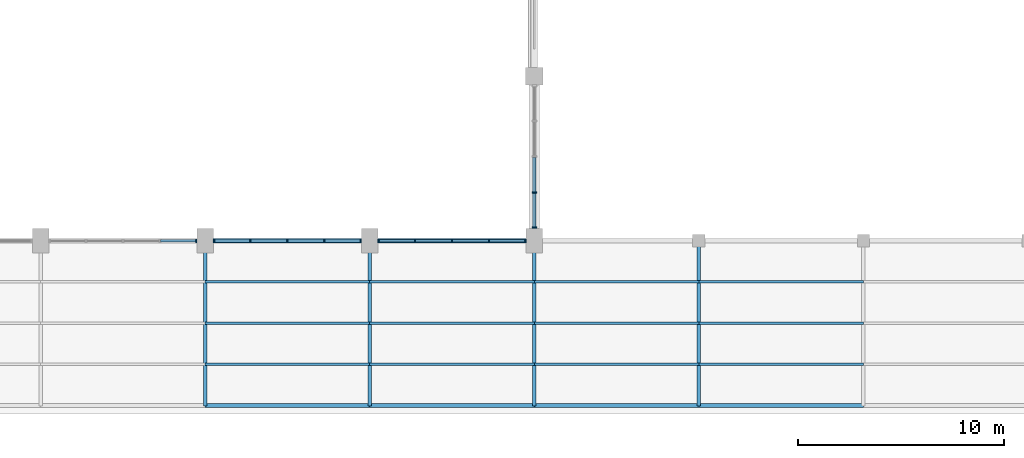
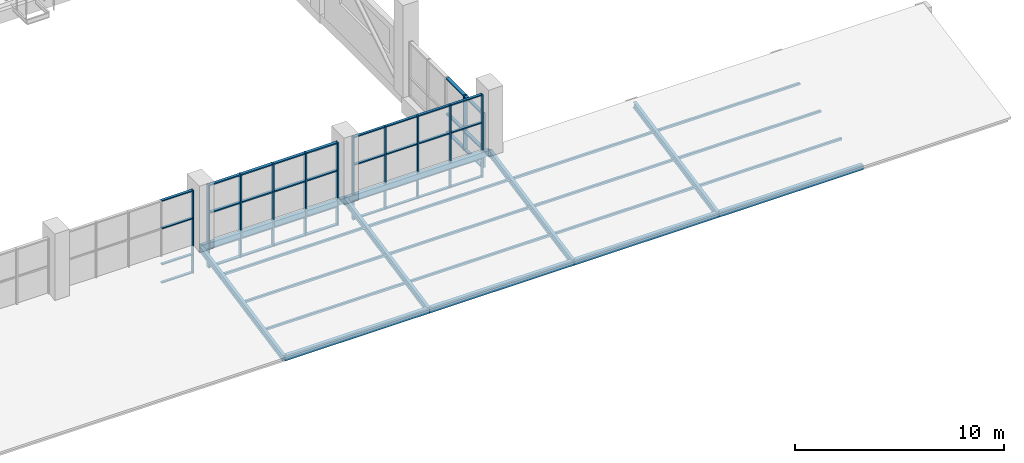
# One storey, part 12 of 122: 67 members, 10 beams, 4 elements without a shape of their own.
"""IFC4 building model written with IfcOpenShell, lengths in metres."""

from ifc_helpers import new_model, si_unit, direction, frame, origin, origin_2d, place, context, subcontext, project, spatial, rectangle, hollow_rectangle, i_section, extrude, material, material_profile, profile_set, type_object, element, aggregate, save


model = new_model("IFC4")

# Units and contexts
model_context = context("Model", 3, precision=1e-05, world=origin(), true_north=direction((0.0, 1.0)))
body_context = subcontext(model_context, "Body", "Model", "MODEL_VIEW")
ifc_project = project(units=[si_unit("LENGTHUNIT", "METRE"), si_unit("AREAUNIT", "SQUARE_METRE"), si_unit("VOLUMEUNIT", "CUBIC_METRE"), si_unit("PLANEANGLEUNIT", "RADIAN"), si_unit("MASSUNIT", "GRAM", prefix="KILO")], contexts=[model_context])

# Site, building, storey
site_placement = place(None, origin())
site = spatial("IfcSite", under=ifc_project, at=site_placement, CompositionType="ELEMENT")
building_placement = place(site_placement, origin())
building = spatial("IfcBuilding", under=site, at=building_placement, Name="Tenunan Teduh Sports Hall", CompositionType="ELEMENT")
storey_placement = place(building_placement, frame((0.0, 0.0, 5.39990234375)))
storey = spatial("IfcBuildingStorey", under=building, at=storey_placement, Name="L01", CompositionType="ELEMENT", Elevation=5.39990234375)

# Curtain wall, member
ifc_material_1 = material(Name="Anodised aluminium", Category="aluminium")
curtain_wall_type = type_object("IfcCurtainWallType", Name="CW-UNIT-1", PredefinedType="NOTDEFINED", material=ifc_material_1)
curtain_wall_1_placement = place(storey_placement, origin())
curtain_wall_1 = element("IfcCurtainWall", 1, at=curtain_wall_1_placement, inside=storey, type_object=curtain_wall_type, Name="CW-CWM-175-L01-046", PredefinedType="NOTDEFINED")
ifc_material_2 = material(Name="Anodised aluminium", Category="aluminium")
ifc_material_profile_1 = material_profile(ifc_material_2, rectangle(XDim=0.06494140625, YDim=0.175048828125, at=origin_2d()), Name="CWM 65x175")
ifc_profile_set_1 = profile_set([ifc_material_profile_1], Name="Anodised aluminium")
member_type_1 = type_object("IfcMemberType", Name="CWM-175", PredefinedType="MULLION", material=ifc_profile_set_1)
member_1_placement = place(storey_placement, frame((37.5673828125, 14.0, 0.0), z_axis=(0.0, 0.0, 1.0), x_axis=(1.0, 0.0, 0.0)))
member_1 = element("IfcMember", 2, at=member_1_placement, type_object=member_type_1, Name="CW-01 mullion 5", PredefinedType="MULLION", context=body_context, shape_type="SweptSolid", body=[
    extrude(rectangle(XDim=0.06494140625, YDim=0.175048828125, at=origin_2d()), origin(), (0.0, 0.0, 1.0), 4.85009765625),
])

# Curtain wall, members
curtain_wall_2_placement = place(storey_placement, origin())
curtain_wall_2 = element("IfcCurtainWall", 3, at=curtain_wall_2_placement, inside=storey, type_object=curtain_wall_type, Name="CW-CWM-175-L01-050", PredefinedType="NOTDEFINED")
member_2_placement = place(storey_placement, frame((46.4326171875, 14.0, 0.0), z_axis=(0.0, 0.0, 1.0), x_axis=(1.0, 0.0, 0.0)))
member_2 = element("IfcMember", 4, at=member_2_placement, type_object=member_type_1, Name="CW-01 mullion 1", PredefinedType="MULLION", context=body_context, shape_type="SweptSolid", body=[
    extrude(rectangle(XDim=0.06494140625, YDim=0.175048828125, at=origin_2d()), origin(), (0.0, 0.0, 1.0), 4.85009765625),
])
member_3_placement = place(storey_placement, frame((48.199951171875, 14.0, 0.0), z_axis=(0.0, 0.0, 1.0), x_axis=(1.0, 0.0, 0.0)))
member_3 = element("IfcMember", 5, at=member_3_placement, type_object=member_type_1, Name="CW-01 mullion 2", PredefinedType="MULLION", context=body_context, shape_type="SweptSolid", body=[
    extrude(rectangle(XDim=0.06494140625, YDim=0.175048828125, at=origin_2d()), origin(), (0.0, 0.0, 1.0), 4.85009765625),
])
member_4_placement = place(storey_placement, frame((50.0, 14.0, 0.0), z_axis=(0.0, 0.0, 1.0), x_axis=(1.0, 0.0, 0.0)))
member_4 = element("IfcMember", 6, at=member_4_placement, type_object=member_type_1, Name="CW-01 mullion 3", PredefinedType="MULLION", context=body_context, shape_type="SweptSolid", body=[
    extrude(rectangle(XDim=0.06494140625, YDim=0.175048828125, at=origin_2d()), origin(), (0.0, 0.0, 1.0), 4.85009765625),
])
member_5_placement = place(storey_placement, frame((51.800048828125, 14.0, 0.0), z_axis=(0.0, 0.0, 1.0), x_axis=(1.0, 0.0, 0.0)))
member_5 = element("IfcMember", 7, at=member_5_placement, type_object=member_type_1, Name="CW-01 mullion 4", PredefinedType="MULLION", context=body_context, shape_type="SweptSolid", body=[
    extrude(rectangle(XDim=0.06494140625, YDim=0.175048828125, at=origin_2d()), origin(), (0.0, 0.0, 1.0), 4.85009765625),
])
member_6_placement = place(storey_placement, frame((53.5673828125, 14.0, 0.0), z_axis=(0.0, 0.0, 1.0), x_axis=(1.0, 0.0, 0.0)))
member_6 = element("IfcMember", 8, at=member_6_placement, type_object=member_type_1, Name="CW-01 mullion 5", PredefinedType="MULLION", context=body_context, shape_type="SweptSolid", body=[
    extrude(rectangle(XDim=0.06494140625, YDim=0.175048828125, at=origin_2d()), origin(), (0.0, 0.0, 1.0), 4.85009765625),
])

curtain_wall_3_placement = place(storey_placement, origin())
curtain_wall_3 = element("IfcCurtainWall", 9, at=curtain_wall_3_placement, inside=storey, type_object=curtain_wall_type, Name="CW-CWM-200-L01-048", PredefinedType="NOTDEFINED")
ifc_material_3 = material(Name="Anodised aluminium", Category="aluminium")
ifc_material_profile_2 = material_profile(ifc_material_3, rectangle(XDim=0.070068359375, YDim=0.199951171875, at=origin_2d()), Name="CWM 70x200")
ifc_profile_set_2 = profile_set([ifc_material_profile_2], Name="Anodised aluminium")
member_type_2 = type_object("IfcMemberType", Name="CWM-200", PredefinedType="MULLION", material=ifc_profile_set_2)
member_7_placement = place(storey_placement, frame((38.43505859375, 14.0, 0.0), z_axis=(0.0, 0.0, 1.0), x_axis=(1.0, 0.0, 0.0)))
member_7 = element("IfcMember", 10, at=member_7_placement, type_object=member_type_2, Name="CW-01 mullion 1", PredefinedType="MULLION", context=body_context, shape_type="SweptSolid", body=[
    extrude(rectangle(XDim=0.070068359375, YDim=0.199951171875, at=origin_2d()), origin(), (0.0, 0.0, 1.0), 4.85009765625),
])
member_8_placement = place(storey_placement, frame((40.199951171875, 14.0, 0.0), z_axis=(0.0, 0.0, 1.0), x_axis=(1.0, 0.0, 0.0)))
member_8 = element("IfcMember", 11, at=member_8_placement, type_object=member_type_2, Name="CW-01 mullion 2", PredefinedType="MULLION", context=body_context, shape_type="SweptSolid", body=[
    extrude(rectangle(XDim=0.070068359375, YDim=0.199951171875, at=origin_2d()), origin(), (0.0, 0.0, 1.0), 4.85009765625),
])
member_9_placement = place(storey_placement, frame((42.0, 14.0, 0.0), z_axis=(0.0, 0.0, 1.0), x_axis=(1.0, 0.0, 0.0)))
member_9 = element("IfcMember", 12, at=member_9_placement, type_object=member_type_2, Name="CW-01 mullion 3", PredefinedType="MULLION", context=body_context, shape_type="SweptSolid", body=[
    extrude(rectangle(XDim=0.070068359375, YDim=0.199951171875, at=origin_2d()), origin(), (0.0, 0.0, 1.0), 4.85009765625),
])
member_10_placement = place(storey_placement, frame((43.800048828125, 14.0, 0.0), z_axis=(0.0, 0.0, 1.0), x_axis=(1.0, 0.0, 0.0)))
member_10 = element("IfcMember", 13, at=member_10_placement, type_object=member_type_2, Name="CW-01 mullion 4", PredefinedType="MULLION", context=body_context, shape_type="SweptSolid", body=[
    extrude(rectangle(XDim=0.070068359375, YDim=0.199951171875, at=origin_2d()), origin(), (0.0, 0.0, 1.0), 4.85009765625),
])
member_11_placement = place(storey_placement, frame((45.56494140625, 14.0, 0.0), z_axis=(0.0, 0.0, 1.0), x_axis=(1.0, 0.0, 0.0)))
member_11 = element("IfcMember", 14, at=member_11_placement, type_object=member_type_2, Name="CW-01 mullion 5", PredefinedType="MULLION", context=body_context, shape_type="SweptSolid", body=[
    extrude(rectangle(XDim=0.070068359375, YDim=0.199951171875, at=origin_2d()), origin(), (0.0, 0.0, 1.0), 4.85009765625),
])

curtain_wall_4_placement = place(storey_placement, origin())
curtain_wall_4 = element("IfcCurtainWall", 15, at=curtain_wall_4_placement, inside=storey, type_object=curtain_wall_type, Name="CW-CWM-220-L01-053", PredefinedType="NOTDEFINED")
ifc_material_4 = material(Name="Anodised aluminium", Category="aluminium")
ifc_material_profile_3 = material_profile(ifc_material_4, rectangle(XDim=0.074951171875, YDim=0.219970703125, at=origin_2d()), Name="CWM 75x220")
ifc_profile_set_3 = profile_set([ifc_material_profile_3], Name="Anodised aluminium")
member_type_3 = type_object("IfcMemberType", Name="CWM-220", PredefinedType="MULLION", material=ifc_profile_set_3)
member_12_placement = place(storey_placement, frame((54.0, 14.637451171875, 0.0), z_axis=(0.0, 0.0, 1.0), x_axis=(0.0, 1.0, 0.0)))
member_12 = element("IfcMember", 16, at=member_12_placement, type_object=member_type_3, Name="CW-01 mullion 1", PredefinedType="MULLION", context=body_context, shape_type="SweptSolid", body=[
    extrude(rectangle(XDim=0.074951171875, YDim=0.219970703125, at=origin_2d()), origin(), (0.0, 0.0, 1.0), 3.2001953125),
])
member_13_placement = place(storey_placement, frame((54.0, 16.34375, 0.0), z_axis=(0.0, 0.0, 1.0), x_axis=(0.0, 1.0, 0.0)))
member_13 = element("IfcMember", 17, at=member_13_placement, type_object=member_type_3, Name="CW-01 mullion 2", PredefinedType="MULLION", context=body_context, shape_type="SweptSolid", body=[
    extrude(rectangle(XDim=0.074951171875, YDim=0.219970703125, at=origin_2d()), origin(), (0.0, 0.0, 1.0), 3.2001953125),
])

# Member
ifc_material_5 = material(Name="Anodised aluminium", Category="aluminium")
ifc_material_profile_4 = material_profile(ifc_material_5, rectangle(XDim=0.06494140625, YDim=0.139892578125, at=origin_2d()), Name="CWT 65x140")
ifc_profile_set_4 = profile_set([ifc_material_profile_4], Name="Anodised aluminium")
member_type_4 = type_object("IfcMemberType", Name="CWT-150", PredefinedType="USERDEFINED", material=ifc_profile_set_4)
member_14_placement = place(storey_placement, frame((35.83251953125, 14.0, 0.03271484375), z_axis=(1.0, 0.0, 0.0), x_axis=(0.0, 0.0, 1.0)))
member_14 = element("IfcMember", 18, at=member_14_placement, type_object=member_type_4, Name="CW-01 transom 4.1", ObjectType="TRANSOM", PredefinedType="USERDEFINED", context=body_context, shape_type="SweptSolid", body=[
    extrude(rectangle(XDim=0.06494140625, YDim=0.139892578125, at=origin_2d()), origin(), (0.0, 0.0, 1.0), 1.702392578125),
])

member_15_placement = place(storey_placement, frame((35.83251953125, 14.0, 1.10009765625), z_axis=(1.0, 0.0, 0.0), x_axis=(0.0, 0.0, 1.0)))
member_15 = element("IfcMember", 19, at=member_15_placement, type_object=member_type_4, Name="CW-01 transom 4.2", ObjectType="TRANSOM", PredefinedType="USERDEFINED", context=body_context, shape_type="SweptSolid", body=[
    extrude(rectangle(XDim=0.06494140625, YDim=0.139892578125, at=origin_2d()), origin(), (0.0, 0.0, 1.0), 1.702392578125),
])

member_16_placement = place(storey_placement, frame((35.83251953125, 14.0, 3.2001953125), z_axis=(1.0, 0.0, 0.0), x_axis=(0.0, 0.0, 1.0)))
member_16 = element("IfcMember", 20, at=member_16_placement, type_object=member_type_4, Name="CW-01 transom 4.3", ObjectType="TRANSOM", PredefinedType="USERDEFINED", context=body_context, shape_type="SweptSolid", body=[
    extrude(rectangle(XDim=0.06494140625, YDim=0.139892578125, at=origin_2d()), origin(), (0.0, 0.0, 1.0), 1.702392578125),
])

member_17_placement = place(storey_placement, frame((35.83251953125, 14.0, 4.817626953125), z_axis=(1.0, 0.0, 0.0), x_axis=(0.0, 0.0, 1.0)))
member_17 = element("IfcMember", 21, at=member_17_placement, type_object=member_type_4, Name="CW-01 transom 4.4", ObjectType="TRANSOM", PredefinedType="USERDEFINED", context=body_context, shape_type="SweptSolid", body=[
    extrude(rectangle(XDim=0.06494140625, YDim=0.139892578125, at=origin_2d()), origin(), (0.0, 0.0, 1.0), 1.702392578125),
])

aggregate(curtain_wall_1, [member_1, member_14, member_15, member_16, member_17])

member_18_placement = place(storey_placement, frame((46.465087890625, 14.0, 0.03271484375), z_axis=(1.0, 0.0, 0.0), x_axis=(0.0, 0.0, 1.0)))
member_18 = element("IfcMember", 22, at=member_18_placement, type_object=member_type_4, Name="CW-01 transom 1.1", ObjectType="TRANSOM", PredefinedType="USERDEFINED", context=body_context, shape_type="SweptSolid", body=[
    extrude(rectangle(XDim=0.06494140625, YDim=0.139892578125, at=origin_2d()), origin(), (0.0, 0.0, 1.0), 1.702392578125),
])

member_19_placement = place(storey_placement, frame((46.465087890625, 14.0, 1.10009765625), z_axis=(1.0, 0.0, 0.0), x_axis=(0.0, 0.0, 1.0)))
member_19 = element("IfcMember", 23, at=member_19_placement, type_object=member_type_4, Name="CW-01 transom 1.2", ObjectType="TRANSOM", PredefinedType="USERDEFINED", context=body_context, shape_type="SweptSolid", body=[
    extrude(rectangle(XDim=0.06494140625, YDim=0.139892578125, at=origin_2d()), origin(), (0.0, 0.0, 1.0), 1.702392578125),
])

member_20_placement = place(storey_placement, frame((46.465087890625, 14.0, 3.2001953125), z_axis=(1.0, 0.0, 0.0), x_axis=(0.0, 0.0, 1.0)))
member_20 = element("IfcMember", 24, at=member_20_placement, type_object=member_type_4, Name="CW-01 transom 1.3", ObjectType="TRANSOM", PredefinedType="USERDEFINED", context=body_context, shape_type="SweptSolid", body=[
    extrude(rectangle(XDim=0.06494140625, YDim=0.139892578125, at=origin_2d()), origin(), (0.0, 0.0, 1.0), 1.702392578125),
])

member_21_placement = place(storey_placement, frame((46.465087890625, 14.0, 4.817626953125), z_axis=(1.0, 0.0, 0.0), x_axis=(0.0, 0.0, 1.0)))
member_21 = element("IfcMember", 25, at=member_21_placement, type_object=member_type_4, Name="CW-01 transom 1.4", ObjectType="TRANSOM", PredefinedType="USERDEFINED", context=body_context, shape_type="SweptSolid", body=[
    extrude(rectangle(XDim=0.06494140625, YDim=0.139892578125, at=origin_2d()), origin(), (0.0, 0.0, 1.0), 1.702392578125),
])

member_22_placement = place(storey_placement, frame((48.232421875, 14.0, 0.03271484375), z_axis=(1.0, 0.0, 0.0), x_axis=(0.0, 0.0, 1.0)))
member_22 = element("IfcMember", 26, at=member_22_placement, type_object=member_type_4, Name="CW-01 transom 2.1", ObjectType="TRANSOM", PredefinedType="USERDEFINED", context=body_context, shape_type="SweptSolid", body=[
    extrude(rectangle(XDim=0.06494140625, YDim=0.139892578125, at=origin_2d()), origin(), (0.0, 0.0, 1.0), 1.735107421875),
])

member_23_placement = place(storey_placement, frame((48.232421875, 14.0, 1.10009765625), z_axis=(1.0, 0.0, 0.0), x_axis=(0.0, 0.0, 1.0)))
member_23 = element("IfcMember", 27, at=member_23_placement, type_object=member_type_4, Name="CW-01 transom 2.2", ObjectType="TRANSOM", PredefinedType="USERDEFINED", context=body_context, shape_type="SweptSolid", body=[
    extrude(rectangle(XDim=0.06494140625, YDim=0.139892578125, at=origin_2d()), origin(), (0.0, 0.0, 1.0), 1.735107421875),
])

member_24_placement = place(storey_placement, frame((48.232421875, 14.0, 3.2001953125), z_axis=(1.0, 0.0, 0.0), x_axis=(0.0, 0.0, 1.0)))
member_24 = element("IfcMember", 28, at=member_24_placement, type_object=member_type_4, Name="CW-01 transom 2.3", ObjectType="TRANSOM", PredefinedType="USERDEFINED", context=body_context, shape_type="SweptSolid", body=[
    extrude(rectangle(XDim=0.06494140625, YDim=0.139892578125, at=origin_2d()), origin(), (0.0, 0.0, 1.0), 1.735107421875),
])

member_25_placement = place(storey_placement, frame((48.232421875, 14.0, 4.817626953125), z_axis=(1.0, 0.0, 0.0), x_axis=(0.0, 0.0, 1.0)))
member_25 = element("IfcMember", 29, at=member_25_placement, type_object=member_type_4, Name="CW-01 transom 2.4", ObjectType="TRANSOM", PredefinedType="USERDEFINED", context=body_context, shape_type="SweptSolid", body=[
    extrude(rectangle(XDim=0.06494140625, YDim=0.139892578125, at=origin_2d()), origin(), (0.0, 0.0, 1.0), 1.735107421875),
])

member_26_placement = place(storey_placement, frame((50.032470703125, 14.0, 0.03271484375), z_axis=(1.0, 0.0, 0.0), x_axis=(0.0, 0.0, 1.0)))
member_26 = element("IfcMember", 30, at=member_26_placement, type_object=member_type_4, Name="CW-01 transom 3.1", ObjectType="TRANSOM", PredefinedType="USERDEFINED", context=body_context, shape_type="SweptSolid", body=[
    extrude(rectangle(XDim=0.06494140625, YDim=0.139892578125, at=origin_2d()), origin(), (0.0, 0.0, 1.0), 1.735107421875),
])

member_27_placement = place(storey_placement, frame((50.032470703125, 14.0, 1.10009765625), z_axis=(1.0, 0.0, 0.0), x_axis=(0.0, 0.0, 1.0)))
member_27 = element("IfcMember", 31, at=member_27_placement, type_object=member_type_4, Name="CW-01 transom 3.2", ObjectType="TRANSOM", PredefinedType="USERDEFINED", context=body_context, shape_type="SweptSolid", body=[
    extrude(rectangle(XDim=0.06494140625, YDim=0.139892578125, at=origin_2d()), origin(), (0.0, 0.0, 1.0), 1.735107421875),
])

member_28_placement = place(storey_placement, frame((50.032470703125, 14.0, 3.2001953125), z_axis=(1.0, 0.0, 0.0), x_axis=(0.0, 0.0, 1.0)))
member_28 = element("IfcMember", 32, at=member_28_placement, type_object=member_type_4, Name="CW-01 transom 3.3", ObjectType="TRANSOM", PredefinedType="USERDEFINED", context=body_context, shape_type="SweptSolid", body=[
    extrude(rectangle(XDim=0.06494140625, YDim=0.139892578125, at=origin_2d()), origin(), (0.0, 0.0, 1.0), 1.735107421875),
])

member_29_placement = place(storey_placement, frame((50.032470703125, 14.0, 4.817626953125), z_axis=(1.0, 0.0, 0.0), x_axis=(0.0, 0.0, 1.0)))
member_29 = element("IfcMember", 33, at=member_29_placement, type_object=member_type_4, Name="CW-01 transom 3.4", ObjectType="TRANSOM", PredefinedType="USERDEFINED", context=body_context, shape_type="SweptSolid", body=[
    extrude(rectangle(XDim=0.06494140625, YDim=0.139892578125, at=origin_2d()), origin(), (0.0, 0.0, 1.0), 1.735107421875),
])

member_30_placement = place(storey_placement, frame((51.83251953125, 14.0, 0.03271484375), z_axis=(1.0, 0.0, 0.0), x_axis=(0.0, 0.0, 1.0)))
member_30 = element("IfcMember", 34, at=member_30_placement, type_object=member_type_4, Name="CW-01 transom 4.1", ObjectType="TRANSOM", PredefinedType="USERDEFINED", context=body_context, shape_type="SweptSolid", body=[
    extrude(rectangle(XDim=0.06494140625, YDim=0.139892578125, at=origin_2d()), origin(), (0.0, 0.0, 1.0), 1.702392578125),
])

member_31_placement = place(storey_placement, frame((51.83251953125, 14.0, 1.10009765625), z_axis=(1.0, 0.0, 0.0), x_axis=(0.0, 0.0, 1.0)))
member_31 = element("IfcMember", 35, at=member_31_placement, type_object=member_type_4, Name="CW-01 transom 4.2", ObjectType="TRANSOM", PredefinedType="USERDEFINED", context=body_context, shape_type="SweptSolid", body=[
    extrude(rectangle(XDim=0.06494140625, YDim=0.139892578125, at=origin_2d()), origin(), (0.0, 0.0, 1.0), 1.702392578125),
])

member_32_placement = place(storey_placement, frame((51.83251953125, 14.0, 3.2001953125), z_axis=(1.0, 0.0, 0.0), x_axis=(0.0, 0.0, 1.0)))
member_32 = element("IfcMember", 36, at=member_32_placement, type_object=member_type_4, Name="CW-01 transom 4.3", ObjectType="TRANSOM", PredefinedType="USERDEFINED", context=body_context, shape_type="SweptSolid", body=[
    extrude(rectangle(XDim=0.06494140625, YDim=0.139892578125, at=origin_2d()), origin(), (0.0, 0.0, 1.0), 1.702392578125),
])

member_33_placement = place(storey_placement, frame((51.83251953125, 14.0, 4.817626953125), z_axis=(1.0, 0.0, 0.0), x_axis=(0.0, 0.0, 1.0)))
member_33 = element("IfcMember", 37, at=member_33_placement, type_object=member_type_4, Name="CW-01 transom 4.4", ObjectType="TRANSOM", PredefinedType="USERDEFINED", context=body_context, shape_type="SweptSolid", body=[
    extrude(rectangle(XDim=0.06494140625, YDim=0.139892578125, at=origin_2d()), origin(), (0.0, 0.0, 1.0), 1.702392578125),
])

aggregate(curtain_wall_2, [member_2, member_3, member_4, member_5, member_6, member_18, member_19, member_20, member_21, member_22, member_23, member_24, member_25, member_26, member_27, member_28, member_29, member_30, member_31, member_32, member_33])

ifc_material_6 = material(Name="Anodised aluminium", Category="aluminium")
ifc_material_profile_5 = material_profile(ifc_material_6, rectangle(XDim=0.074951171875, YDim=0.179931640625, at=origin_2d()), Name="CWT 75x180")
ifc_profile_set_5 = profile_set([ifc_material_profile_5], Name="Anodised aluminium")
member_type_5 = type_object("IfcMemberType", Name="CWT-180", PredefinedType="USERDEFINED", material=ifc_profile_set_5)
member_34_placement = place(storey_placement, frame((54.0, 14.675048828125, 0.03759765625), z_axis=(0.0, 1.0, 0.0), x_axis=(0.0, 0.0, 1.0)))
member_34 = element("IfcMember", 38, at=member_34_placement, type_object=member_type_5, Name="CW-01 transom 1.1", ObjectType="TRANSOM", PredefinedType="USERDEFINED", context=body_context, shape_type="SweptSolid", body=[
    extrude(rectangle(XDim=0.074951171875, YDim=0.179931640625, at=origin_2d()), origin(), (0.0, 0.0, 1.0), 1.631103515625),
])

member_35_placement = place(storey_placement, frame((54.0, 14.675048828125, 1.10009765625), z_axis=(0.0, 1.0, 0.0), x_axis=(0.0, 0.0, 1.0)))
member_35 = element("IfcMember", 39, at=member_35_placement, type_object=member_type_5, Name="CW-01 transom 1.2", ObjectType="TRANSOM", PredefinedType="USERDEFINED", context=body_context, shape_type="SweptSolid", body=[
    extrude(rectangle(XDim=0.074951171875, YDim=0.179931640625, at=origin_2d()), origin(), (0.0, 0.0, 1.0), 1.631103515625),
])

member_36_placement = place(storey_placement, frame((54.0, 14.675048828125, 3.16259765625), z_axis=(0.0, 1.0, 0.0), x_axis=(0.0, 0.0, 1.0)))
member_36 = element("IfcMember", 40, at=member_36_placement, type_object=member_type_5, Name="CW-01 transom 1.3", ObjectType="TRANSOM", PredefinedType="USERDEFINED", context=body_context, shape_type="SweptSolid", body=[
    extrude(rectangle(XDim=0.074951171875, YDim=0.179931640625, at=origin_2d()), origin(), (0.0, 0.0, 1.0), 1.631103515625),
])

member_37_placement = place(storey_placement, frame((54.0, 16.38134765625, 0.03759765625), z_axis=(0.0, 1.0, 0.0), x_axis=(0.0, 0.0, 1.0)))
member_37 = element("IfcMember", 41, at=member_37_placement, type_object=member_type_5, Name="CW-01 transom 2.1", ObjectType="TRANSOM", PredefinedType="USERDEFINED", context=body_context, shape_type="SweptSolid", body=[
    extrude(rectangle(XDim=0.074951171875, YDim=0.179931640625, at=origin_2d()), origin(), (0.0, 0.0, 1.0), 1.668701171875),
])

member_38_placement = place(storey_placement, frame((54.0, 16.38134765625, 1.10009765625), z_axis=(0.0, 1.0, 0.0), x_axis=(0.0, 0.0, 1.0)))
member_38 = element("IfcMember", 42, at=member_38_placement, type_object=member_type_5, Name="CW-01 transom 2.2", ObjectType="TRANSOM", PredefinedType="USERDEFINED", context=body_context, shape_type="SweptSolid", body=[
    extrude(rectangle(XDim=0.074951171875, YDim=0.179931640625, at=origin_2d()), origin(), (0.0, 0.0, 1.0), 1.668701171875),
])

member_39_placement = place(storey_placement, frame((54.0, 16.38134765625, 3.16259765625), z_axis=(0.0, 1.0, 0.0), x_axis=(0.0, 0.0, 1.0)))
member_39 = element("IfcMember", 43, at=member_39_placement, type_object=member_type_5, Name="CW-01 transom 2.3", ObjectType="TRANSOM", PredefinedType="USERDEFINED", context=body_context, shape_type="SweptSolid", body=[
    extrude(rectangle(XDim=0.074951171875, YDim=0.179931640625, at=origin_2d()), origin(), (0.0, 0.0, 1.0), 1.668701171875),
])

aggregate(curtain_wall_4, [member_12, member_13, member_34, member_35, member_36, member_37, member_38, member_39])

ifc_material_7 = material(Name="Anodised aluminium", Category="aluminium")
ifc_material_profile_6 = material_profile(ifc_material_7, rectangle(XDim=0.070068359375, YDim=0.159912109375, at=origin_2d()), Name="CWT 70x160")
ifc_profile_set_6 = profile_set([ifc_material_profile_6], Name="Anodised aluminium")
member_type_6 = type_object("IfcMemberType", Name="CWT-200", PredefinedType="USERDEFINED", material=ifc_profile_set_6)
member_40_placement = place(storey_placement, frame((38.469970703125, 14.0, 0.03515625), z_axis=(1.0, 0.0, 0.0), x_axis=(0.0, 0.0, 1.0)))
member_40 = element("IfcMember", 44, at=member_40_placement, type_object=member_type_6, Name="CW-01 transom 1.1", ObjectType="TRANSOM", PredefinedType="USERDEFINED", context=body_context, shape_type="SweptSolid", body=[
    extrude(rectangle(XDim=0.070068359375, YDim=0.159912109375, at=origin_2d()), origin(), (0.0, 0.0, 1.0), 1.695068359375),
])

member_41_placement = place(storey_placement, frame((38.469970703125, 14.0, 1.10009765625), z_axis=(1.0, 0.0, 0.0), x_axis=(0.0, 0.0, 1.0)))
member_41 = element("IfcMember", 45, at=member_41_placement, type_object=member_type_6, Name="CW-01 transom 1.2", ObjectType="TRANSOM", PredefinedType="USERDEFINED", context=body_context, shape_type="SweptSolid", body=[
    extrude(rectangle(XDim=0.070068359375, YDim=0.159912109375, at=origin_2d()), origin(), (0.0, 0.0, 1.0), 1.695068359375),
])

member_42_placement = place(storey_placement, frame((38.469970703125, 14.0, 3.2001953125), z_axis=(1.0, 0.0, 0.0), x_axis=(0.0, 0.0, 1.0)))
member_42 = element("IfcMember", 46, at=member_42_placement, type_object=member_type_6, Name="CW-01 transom 1.3", ObjectType="TRANSOM", PredefinedType="USERDEFINED", context=body_context, shape_type="SweptSolid", body=[
    extrude(rectangle(XDim=0.070068359375, YDim=0.159912109375, at=origin_2d()), origin(), (0.0, 0.0, 1.0), 1.695068359375),
])

member_43_placement = place(storey_placement, frame((38.469970703125, 14.0, 4.815185546875), z_axis=(1.0, 0.0, 0.0), x_axis=(0.0, 0.0, 1.0)))
member_43 = element("IfcMember", 47, at=member_43_placement, type_object=member_type_6, Name="CW-01 transom 1.4", ObjectType="TRANSOM", PredefinedType="USERDEFINED", context=body_context, shape_type="SweptSolid", body=[
    extrude(rectangle(XDim=0.070068359375, YDim=0.159912109375, at=origin_2d()), origin(), (0.0, 0.0, 1.0), 1.695068359375),
])

member_44_placement = place(storey_placement, frame((40.235107421875, 14.0, 0.03515625), z_axis=(1.0, 0.0, 0.0), x_axis=(0.0, 0.0, 1.0)))
member_44 = element("IfcMember", 48, at=member_44_placement, type_object=member_type_6, Name="CW-01 transom 2.1", ObjectType="TRANSOM", PredefinedType="USERDEFINED", context=body_context, shape_type="SweptSolid", body=[
    extrude(rectangle(XDim=0.070068359375, YDim=0.159912109375, at=origin_2d()), origin(), (0.0, 0.0, 1.0), 1.72998046875),
])

member_45_placement = place(storey_placement, frame((40.235107421875, 14.0, 1.10009765625), z_axis=(1.0, 0.0, 0.0), x_axis=(0.0, 0.0, 1.0)))
member_45 = element("IfcMember", 49, at=member_45_placement, type_object=member_type_6, Name="CW-01 transom 2.2", ObjectType="TRANSOM", PredefinedType="USERDEFINED", context=body_context, shape_type="SweptSolid", body=[
    extrude(rectangle(XDim=0.070068359375, YDim=0.159912109375, at=origin_2d()), origin(), (0.0, 0.0, 1.0), 1.72998046875),
])

member_46_placement = place(storey_placement, frame((40.235107421875, 14.0, 3.2001953125), z_axis=(1.0, 0.0, 0.0), x_axis=(0.0, 0.0, 1.0)))
member_46 = element("IfcMember", 50, at=member_46_placement, type_object=member_type_6, Name="CW-01 transom 2.3", ObjectType="TRANSOM", PredefinedType="USERDEFINED", context=body_context, shape_type="SweptSolid", body=[
    extrude(rectangle(XDim=0.070068359375, YDim=0.159912109375, at=origin_2d()), origin(), (0.0, 0.0, 1.0), 1.72998046875),
])

member_47_placement = place(storey_placement, frame((40.235107421875, 14.0, 4.815185546875), z_axis=(1.0, 0.0, 0.0), x_axis=(0.0, 0.0, 1.0)))
member_47 = element("IfcMember", 51, at=member_47_placement, type_object=member_type_6, Name="CW-01 transom 2.4", ObjectType="TRANSOM", PredefinedType="USERDEFINED", context=body_context, shape_type="SweptSolid", body=[
    extrude(rectangle(XDim=0.070068359375, YDim=0.159912109375, at=origin_2d()), origin(), (0.0, 0.0, 1.0), 1.72998046875),
])

member_48_placement = place(storey_placement, frame((42.034912109375, 14.0, 0.03515625), z_axis=(1.0, 0.0, 0.0), x_axis=(0.0, 0.0, 1.0)))
member_48 = element("IfcMember", 52, at=member_48_placement, type_object=member_type_6, Name="CW-01 transom 3.1", ObjectType="TRANSOM", PredefinedType="USERDEFINED", context=body_context, shape_type="SweptSolid", body=[
    extrude(rectangle(XDim=0.070068359375, YDim=0.159912109375, at=origin_2d()), origin(), (0.0, 0.0, 1.0), 1.72998046875),
])

member_49_placement = place(storey_placement, frame((42.034912109375, 14.0, 1.10009765625), z_axis=(1.0, 0.0, 0.0), x_axis=(0.0, 0.0, 1.0)))
member_49 = element("IfcMember", 53, at=member_49_placement, type_object=member_type_6, Name="CW-01 transom 3.2", ObjectType="TRANSOM", PredefinedType="USERDEFINED", context=body_context, shape_type="SweptSolid", body=[
    extrude(rectangle(XDim=0.070068359375, YDim=0.159912109375, at=origin_2d()), origin(), (0.0, 0.0, 1.0), 1.72998046875),
])

member_50_placement = place(storey_placement, frame((42.034912109375, 14.0, 3.2001953125), z_axis=(1.0, 0.0, 0.0), x_axis=(0.0, 0.0, 1.0)))
member_50 = element("IfcMember", 54, at=member_50_placement, type_object=member_type_6, Name="CW-01 transom 3.3", ObjectType="TRANSOM", PredefinedType="USERDEFINED", context=body_context, shape_type="SweptSolid", body=[
    extrude(rectangle(XDim=0.070068359375, YDim=0.159912109375, at=origin_2d()), origin(), (0.0, 0.0, 1.0), 1.72998046875),
])

member_51_placement = place(storey_placement, frame((42.034912109375, 14.0, 4.815185546875), z_axis=(1.0, 0.0, 0.0), x_axis=(0.0, 0.0, 1.0)))
member_51 = element("IfcMember", 55, at=member_51_placement, type_object=member_type_6, Name="CW-01 transom 3.4", ObjectType="TRANSOM", PredefinedType="USERDEFINED", context=body_context, shape_type="SweptSolid", body=[
    extrude(rectangle(XDim=0.070068359375, YDim=0.159912109375, at=origin_2d()), origin(), (0.0, 0.0, 1.0), 1.72998046875),
])

member_52_placement = place(storey_placement, frame((43.8349609375, 14.0, 0.03515625), z_axis=(1.0, 0.0, 0.0), x_axis=(0.0, 0.0, 1.0)))
member_52 = element("IfcMember", 56, at=member_52_placement, type_object=member_type_6, Name="CW-01 transom 4.1", ObjectType="TRANSOM", PredefinedType="USERDEFINED", context=body_context, shape_type="SweptSolid", body=[
    extrude(rectangle(XDim=0.070068359375, YDim=0.159912109375, at=origin_2d()), origin(), (0.0, 0.0, 1.0), 1.695068359375),
])

member_53_placement = place(storey_placement, frame((43.8349609375, 14.0, 1.10009765625), z_axis=(1.0, 0.0, 0.0), x_axis=(0.0, 0.0, 1.0)))
member_53 = element("IfcMember", 57, at=member_53_placement, type_object=member_type_6, Name="CW-01 transom 4.2", ObjectType="TRANSOM", PredefinedType="USERDEFINED", context=body_context, shape_type="SweptSolid", body=[
    extrude(rectangle(XDim=0.070068359375, YDim=0.159912109375, at=origin_2d()), origin(), (0.0, 0.0, 1.0), 1.695068359375),
])

member_54_placement = place(storey_placement, frame((43.8349609375, 14.0, 3.2001953125), z_axis=(1.0, 0.0, 0.0), x_axis=(0.0, 0.0, 1.0)))
member_54 = element("IfcMember", 58, at=member_54_placement, type_object=member_type_6, Name="CW-01 transom 4.3", ObjectType="TRANSOM", PredefinedType="USERDEFINED", context=body_context, shape_type="SweptSolid", body=[
    extrude(rectangle(XDim=0.070068359375, YDim=0.159912109375, at=origin_2d()), origin(), (0.0, 0.0, 1.0), 1.695068359375),
])

member_55_placement = place(storey_placement, frame((43.8349609375, 14.0, 4.815185546875), z_axis=(1.0, 0.0, 0.0), x_axis=(0.0, 0.0, 1.0)))
member_55 = element("IfcMember", 59, at=member_55_placement, type_object=member_type_6, Name="CW-01 transom 4.4", ObjectType="TRANSOM", PredefinedType="USERDEFINED", context=body_context, shape_type="SweptSolid", body=[
    extrude(rectangle(XDim=0.070068359375, YDim=0.159912109375, at=origin_2d()), origin(), (0.0, 0.0, 1.0), 1.695068359375),
])

aggregate(curtain_wall_3, [member_7, member_8, member_9, member_10, member_11, member_40, member_41, member_42, member_43, member_44, member_45, member_46, member_47, member_48, member_49, member_50, member_51, member_52, member_53, member_54, member_55])

# Members
ifc_material_8 = material(Name="Steel S355", Category="steel")
ifc_material_profile_7 = material_profile(ifc_material_8, hollow_rectangle(XDim=0.1201171875, YDim=0.1201171875, WallThickness=0.00634765625, at=origin_2d()), Name="SHS 120x120x6.3")
ifc_profile_set_7 = profile_set([ifc_material_profile_7], Name="Steel S355")
member_type_7 = type_object("IfcMemberType", Name="MEM-PR-SHS120", PredefinedType="PURLIN", material=ifc_profile_set_7)
for number, where, z_axis, x_axis, name in (
    (60, (38.0, 8.0, 0.1201171875), (1.0, 0.0, 0.0), (0.0, 1.0, 0.0), "MEM-PR-02-L01-0952"),
    (61, (38.0, 10.0, 0.52001953125), (1.0, 0.0, 0.0), (0.0, 1.0, 0.0), "MEM-PR-02-L01-0953"),
    (62, (38.0, 12.0, 0.920166015625), (1.0, 0.0, 0.0), (0.0, 1.0, 0.0), "MEM-PR-02-L01-0954"),
    (63, (46.0, 8.0, 0.1201171875), (1.0, 0.0, 0.0), (0.0, 1.0, 0.0), "MEM-PR-02-L01-0957"),
    (64, (46.0, 10.0, 0.52001953125), (1.0, 0.0, 0.0), (0.0, 1.0, 0.0), "MEM-PR-02-L01-0958"),
    (65, (46.0, 12.0, 0.920166015625), (1.0, 0.0, 0.0), (0.0, 1.0, 0.0), "MEM-PR-02-L01-0959"),
    (66, (54.0, 8.0, 0.1201171875), (1.0, 0.0, 0.0), (0.0, 1.0, 0.0), "MEM-PR-02-L01-0962"),
    (67, (54.0, 10.0, 0.52001953125), (1.0, 0.0, 0.0), (0.0, 1.0, 0.0), "MEM-PR-02-L01-0963"),
    (68, (54.0, 12.0, 0.920166015625), (1.0, 0.0, 0.0), (0.0, 1.0, 0.0), "MEM-PR-02-L01-0964"),
    (69, (62.0, 8.0, 0.1201171875), (1.0, 0.0, 0.0), (0.0, 1.0, 0.0), "MEM-PR-02-L01-0967"),
    (70, (62.0, 10.0, 0.52001953125), (1.0, 0.0, 0.0), (0.0, 1.0, 0.0), "MEM-PR-02-L01-0968"),
    (71, (62.0, 12.0, 0.920166015625), (1.0, 0.0, 0.0), (0.0, 1.0, 0.0), "MEM-PR-02-L01-0969"),
):
    element("IfcMember", number, at=place(storey_placement, frame(where, z_axis=z_axis, x_axis=x_axis)), inside=storey, type_object=member_type_7, Name=name, PredefinedType="PURLIN", context=body_context, shape_type="SweptSolid", body=[
        extrude(hollow_rectangle(XDim=0.1201171875, YDim=0.1201171875, WallThickness=0.00634765625, at=origin_2d()), origin(), (0.0, 0.0, 1.0), 8.0),
    ])

# Beams
ifc_material_9 = material(Name="Steel S355", Category="steel")
ifc_material_profile_8 = material_profile(ifc_material_9, hollow_rectangle(XDim=0.199951171875, YDim=0.300048828125, WallThickness=0.010009765625, at=origin_2d()), Name="RHS 300x200x10.0")
ifc_profile_set_8 = profile_set([ifc_material_profile_8], Name="Steel S355")
beam_type_1 = type_object("IfcBeamType", Name="RBM-RHS300", PredefinedType="BEAM", material=ifc_profile_set_8)
for number, where, z_axis, x_axis, name in (
    (72, (38.0, 6.0, -0.27978515625), (1.0, 0.0, 0.0), (0.0, 1.0, 0.0), "Perimeter Ring Beam BM-RB-03-L01-0531"),
    (73, (38.0, 14.0, 1.320068359375), (1.0, 0.0, 0.0), (0.0, 1.0, 0.0), "Perimeter Ring Beam BM-RB-03-L01-0532"),
    (74, (46.0, 6.0, -0.27978515625), (1.0, 0.0, 0.0), (0.0, 1.0, 0.0), "Perimeter Ring Beam BM-RB-03-L01-0534"),
    (75, (46.0, 14.0, 1.320068359375), (1.0, 0.0, 0.0), (0.0, 1.0, 0.0), "Perimeter Ring Beam BM-RB-03-L01-0535"),
    (76, (54.0, 6.0, -0.27978515625), (1.0, 0.0, 0.0), (0.0, 1.0, 0.0), "Perimeter Ring Beam BM-RB-03-L01-0537"),
    (77, (62.0, 6.0, -0.27978515625), (1.0, 0.0, 0.0), (0.0, 1.0, 0.0), "Perimeter Ring Beam BM-RB-03-L01-0540"),
):
    element("IfcBeam", number, at=place(storey_placement, frame(where, z_axis=z_axis, x_axis=x_axis)), inside=storey, type_object=beam_type_1, Name=name, PredefinedType="BEAM", context=body_context, shape_type="SweptSolid", body=[
        extrude(hollow_rectangle(XDim=0.199951171875, YDim=0.300048828125, WallThickness=0.010009765625, at=origin_2d()), origin(), (0.0, 0.0, 1.0), 8.0),
    ])
ifc_material_10 = material(Name="Steel S355", Category="steel")
ifc_material_profile_9 = material_profile(ifc_material_10, i_section(OverallWidth=0.17138671875, OverallDepth=0.35498046875, WebThickness=0.00732421875, FlangeThickness=0.011474609375, FilletRadius=0.01025390625, at=origin_2d()), Name="UKB 356x171x51")
ifc_profile_set_9 = profile_set([ifc_material_profile_9], Name="Steel S355")
beam_type_2 = type_object("IfcBeamType", Name="SBM-UKB356", PredefinedType="BEAM", material=ifc_profile_set_9)
for number, where, z_axis, x_axis, name in (
    (78, (38.0, 6.0, -0.2998046875), (0.0, 0.98058412843, 0.196098870654), (-1.0, 0.0, 0.0), "BM-SB-02-L01-0530"),
    (79, (46.0, 6.0, -0.2998046875), (0.0, 0.98058412843, 0.196098870654), (-1.0, 0.0, 0.0), "BM-SB-02-L01-0533"),
    (80, (54.0, 6.0, -0.2998046875), (0.0, 0.98058412843, 0.196098870654), (-1.0, 0.0, 0.0), "BM-SB-02-L01-0536"),
    (81, (62.0, 6.0, -0.2998046875), (0.0, 0.98058412843, 0.196098870654), (-1.0, 0.0, 0.0), "BM-SB-02-L01-0539"),
):
    element("IfcBeam", number, at=place(storey_placement, frame(where, z_axis=z_axis, x_axis=x_axis)), inside=storey, type_object=beam_type_2, Name=name, PredefinedType="BEAM", context=body_context, shape_type="SweptSolid", body=[
        extrude(i_section(OverallWidth=0.17138671875, OverallDepth=0.35498046875, WebThickness=0.00732421875, FlangeThickness=0.011474609375, FilletRadius=0.01025390625, at=origin_2d()), origin(), (0.0, 0.0, 1.0), 8.158447265625),
    ])

save(model, "model.ifc")
